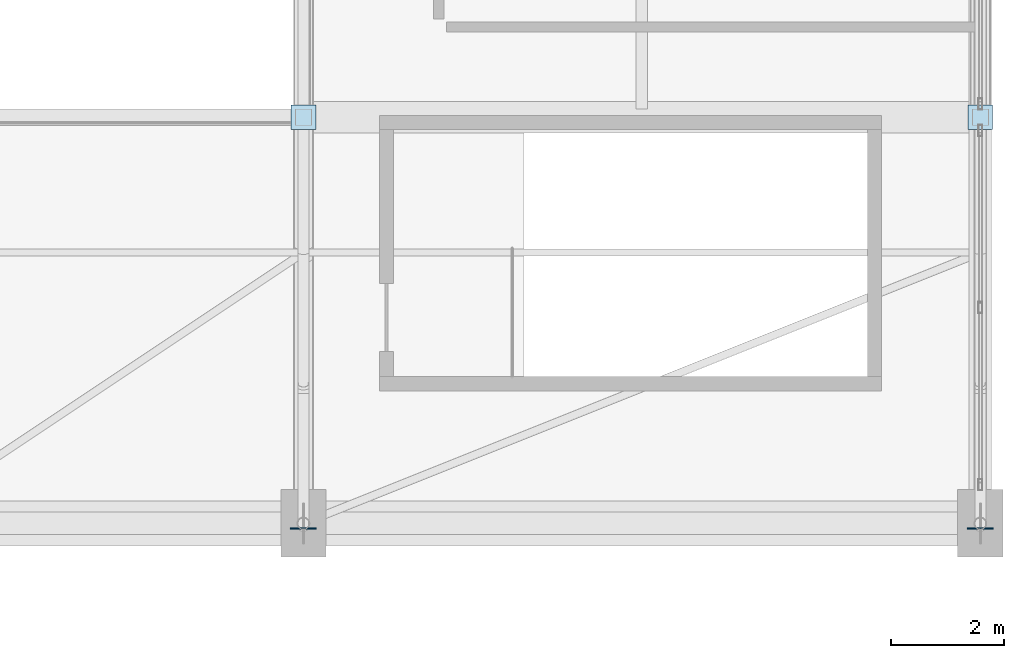
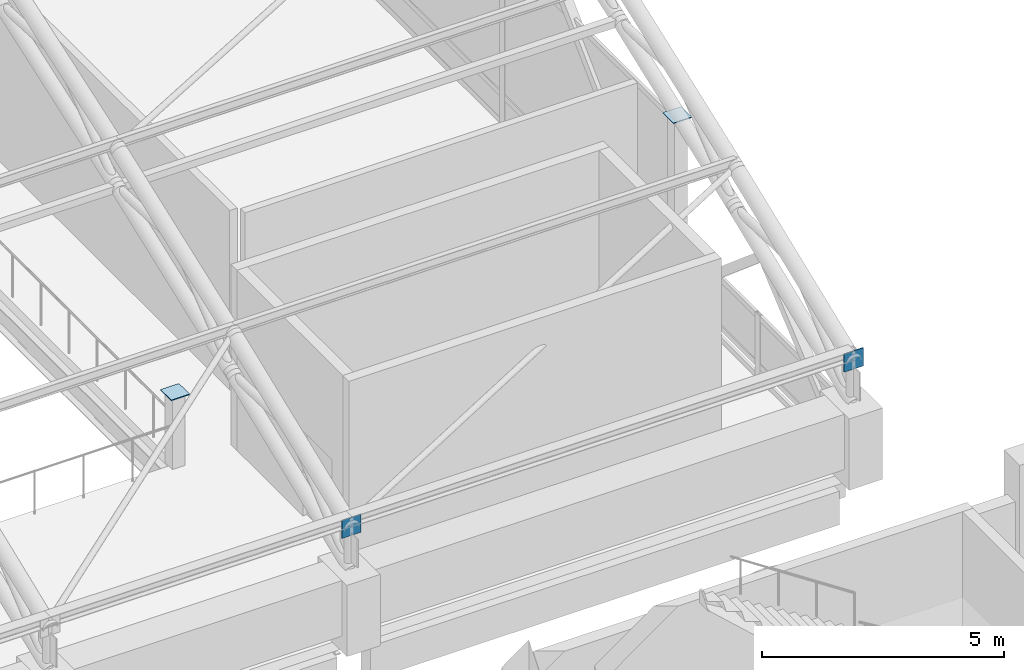
# One storey, part 78 of 116: 4 plates.
"""IFC4 building model written with IfcOpenShell, lengths in metres."""

from ifc_helpers import new_model, si_unit, direction, frame, origin, origin_2d, place, context, subcontext, project, spatial, rectangle, extrude, material, layer, layer_set, type_object, element, save


model = new_model("IFC4")

# Units and contexts
model_context = context("Model", 3, precision=1e-05, world=origin(), true_north=direction((0.0, 1.0)))
body_context = subcontext(model_context, "Body", "Model", "MODEL_VIEW")
ifc_project = project(units=[si_unit("LENGTHUNIT", "METRE"), si_unit("AREAUNIT", "SQUARE_METRE"), si_unit("VOLUMEUNIT", "CUBIC_METRE"), si_unit("PLANEANGLEUNIT", "RADIAN"), si_unit("MASSUNIT", "GRAM", prefix="KILO")], contexts=[model_context])

# Site, building, storey
site_placement = place(None, origin())
site = spatial("IfcSite", under=ifc_project, at=site_placement, CompositionType="ELEMENT")
building_placement = place(site_placement, origin())
building = spatial("IfcBuilding", under=site, at=building_placement, Name="Cendralis Lancet Convention Centre", CompositionType="ELEMENT")
storey_placement = place(building_placement, frame((0.0, 0.0, 15.0)))
storey = spatial("IfcBuildingStorey", under=building, at=storey_placement, Name="L03", CompositionType="ELEMENT", Elevation=15.0)

# Plates
ifc_material = material(Name="Steel S355", Category="steel")
ifc_layer_1 = layer(ifc_material, 0.02001953125, Name="Steel S355")
ifc_layer_set_1 = layer_set([ifc_layer_1], Name="Steel S355")
plate_type_1 = type_object("IfcPlateType", Name="STR-PL-CC20", PredefinedType="USERDEFINED", material=ifc_layer_set_1)
plate_1_placement = place(storey_placement, frame((208.800048828125, 50.39990234375, 4.596923828125), z_axis=(0.0, 0.0, 1.0), x_axis=(1.0, 0.0, 0.0)))
element("IfcPlate", 1, at=plate_1_placement, inside=storey, type_object=plate_type_1, Name="Hollow Column Top Cap Plate L03 #023", ObjectType="GUSSET PLATE", PredefinedType="USERDEFINED", context=body_context, shape_type="SweptSolid", body=[
    extrude(rectangle(XDim=0.43994140625, YDim=0.43994140625, at=origin_2d()), origin(), (0.0, 0.0, 1.0), 0.02001953125),
])
ifc_layer_2 = layer(ifc_material, 0.02001953125, Name="Steel S355")
ifc_layer_set_2 = layer_set([ifc_layer_2], Name="Steel S355")
plate_type_2 = type_object("IfcPlateType", Name="STR-PL-CC20-INT", PredefinedType="USERDEFINED", material=ifc_layer_set_2)
plate_2_placement = place(storey_placement, frame((196.800048828125, 50.39990234375, 1.800048828125), z_axis=(0.0, 0.0, 1.0), x_axis=(1.0, 0.0, 0.0)))
element("IfcPlate", 2, at=plate_2_placement, inside=storey, type_object=plate_type_2, Name="Hollow Column Top Cap Plate L03 #019", ObjectType="GUSSET PLATE", PredefinedType="USERDEFINED", context=body_context, shape_type="SweptSolid", body=[
    extrude(rectangle(XDim=0.43994140625, YDim=0.43994140625, at=origin_2d()), origin(), (0.0, 0.0, 1.0), 0.02001953125),
])
ifc_layer_3 = layer(ifc_material, 0.02001953125, Name="Steel S355")
ifc_layer_set_3 = layer_set([ifc_layer_3], Name="Steel S355")
plate_type_3 = type_object("IfcPlateType", Name="STR-PL-EC20", PredefinedType="USERDEFINED", material=ifc_layer_set_3)
for number, where, z_axis, x_axis, name in (
    (3, (196.800048828125, 43.110107421875, 2.6201171875), (0.0, 0.0, 1.0), (1.0, 0.0, 0.0), "Truss End Cap Plate EC-20 AT-V2-09-CAPS"),
    (4, (208.800048828125, 43.110107421875, 2.6201171875), (0.0, 0.0, 1.0), (1.0, 0.0, 0.0), "Truss End Cap Plate EC-20 AT-V2-10-CAPS"),
):
    element("IfcPlate", number, at=place(storey_placement, frame(where, z_axis=z_axis, x_axis=x_axis)), inside=storey, type_object=plate_type_3, Name=name, ObjectType="GUSSET PLATE", PredefinedType="USERDEFINED", context=body_context, shape_type="SweptSolid", body=[
        extrude(rectangle(XDim=0.4599609375, YDim=0.02001953125, at=origin_2d()), origin(), (0.0, 0.0, 1.0), 0.4599609375),
    ])

save(model, "model.ifc")
